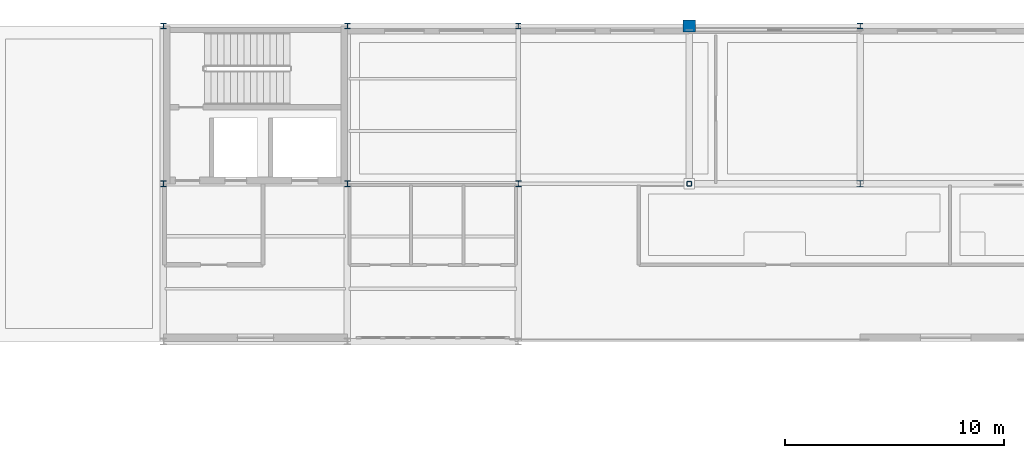
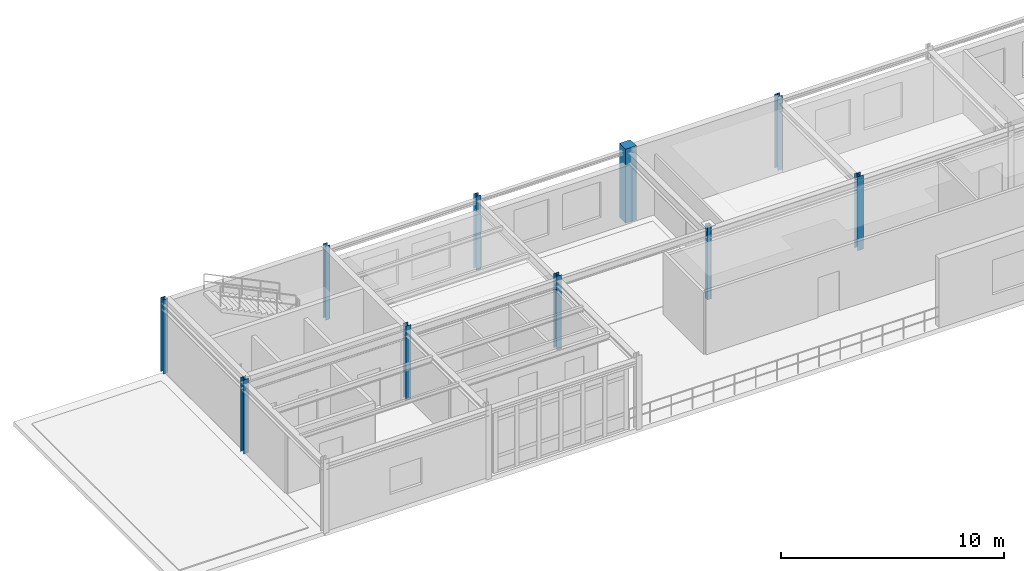
# One storey, part 3 of 20: 10 columns.
"""IFC4 building model written with IfcOpenShell, lengths in metres."""

from ifc_helpers import new_model, si_unit, derived_unit, direction, frame, origin, origin_2d, place, context, subcontext, project, spatial, rectangle, hollow_rectangle, i_section, extrude, material, material_profile, profile_set, type_object, element, save


model = new_model("IFC4")

# Units and contexts
model_context = context("Model", 3, precision=1e-05, world=origin(), true_north=direction((0.0, 1.0)))
body_context = subcontext(model_context, "Body", "Model", "MODEL_VIEW")
ifc_project = project(units=[si_unit("LENGTHUNIT", "METRE"), si_unit("AREAUNIT", "SQUARE_METRE"), si_unit("VOLUMEUNIT", "CUBIC_METRE"), si_unit("PLANEANGLEUNIT", "RADIAN"), si_unit("MASSUNIT", "GRAM", prefix="KILO"), derived_unit("THERMALTRANSMITTANCEUNIT", [(si_unit("POWERUNIT", "WATT"), 1), (si_unit("AREAUNIT", "SQUARE_METRE"), -1), (si_unit("THERMODYNAMICTEMPERATUREUNIT", "KELVIN"), -1)])], contexts=[model_context])

# Site, building, storey
site_placement = place(None, origin())
site = spatial("IfcSite", under=ifc_project, at=site_placement, CompositionType="ELEMENT")
building_placement = place(site_placement, origin())
building = spatial("IfcBuilding", under=site, at=building_placement, Name="Yasenodar Specialist Clinic", CompositionType="ELEMENT")
storey_placement = place(building_placement, frame((0.0, 0.0, 25.35009765625)))
storey = spatial("IfcBuildingStorey", under=building, at=storey_placement, Name="L06", CompositionType="ELEMENT", Elevation=25.35009765625)

# Columns
ifc_material_1 = material(Name="Concrete C35/45", Category="concrete")
ifc_material_profile_1 = material_profile(ifc_material_1, rectangle(XDim=0.550048828125, YDim=0.550048828125, at=origin_2d()), Name="RC 550x550")
ifc_profile_set_1 = profile_set([ifc_material_profile_1], Name="Concrete C35/45")
column_type_1 = type_object("IfcColumnType", Name="COL-RC-550", PredefinedType="COLUMN", material=ifc_profile_set_1)
column_1_placement = place(storey_placement, frame((81.0, 111.60009765625, 0.0), z_axis=(0.0, 0.0, 1.0), x_axis=(1.0, 0.0, 0.0)))
element("IfcColumn", 1, at=column_1_placement, inside=storey, type_object=column_type_1, Name="L06 Column V5-106", PredefinedType="COLUMN", context=body_context, shape_type="SweptSolid", body=[
    extrude(rectangle(XDim=0.550048828125, YDim=0.550048828125, at=origin_2d()), origin(), (0.0, 0.0, 1.0), 4.0498046875),
])
ifc_material_2 = material(Name="Steel S355", Category="steel")
ifc_material_profile_2 = material_profile(ifc_material_2, i_section(OverallWidth=0.260009765625, OverallDepth=0.25, WebThickness=0.007568359375, FlangeThickness=0.012451171875, FilletRadius=0.02392578125, at=origin_2d()), Name="HEA 260")
ifc_profile_set_2 = profile_set([ifc_material_profile_2], Name="Steel S355")
column_type_2 = type_object("IfcColumnType", Name="COL-ST-HEA260", PredefinedType="COLUMN", material=ifc_profile_set_2)
column_2_placement = place(storey_placement, frame((88.800048828125, 111.60009765625, 0.0), z_axis=(0.0, 0.0, 1.0), x_axis=(1.0, 0.0, 0.0)))
element("IfcColumn", 2, at=column_2_placement, inside=storey, type_object=column_type_2, Name="L06 Column V5-110", PredefinedType="COLUMN", context=body_context, shape_type="SweptSolid", body=[
    extrude(i_section(OverallWidth=0.260009765625, OverallDepth=0.25, WebThickness=0.007568359375, FlangeThickness=0.012451171875, FilletRadius=0.02392578125, at=origin_2d()), origin(), (0.0, 0.0, 1.0), 4.0498046875),
])
ifc_material_profile_3 = material_profile(ifc_material_2, i_section(OverallWidth=0.300048828125, OverallDepth=0.2900390625, WebThickness=0.008544921875, FlangeThickness=0.013916015625, FilletRadius=0.027099609375, at=origin_2d()), Name="HEA 300")
ifc_profile_set_3 = profile_set([ifc_material_profile_3], Name="Steel S355")
column_type_3 = type_object("IfcColumnType", Name="COL-ST-HEA300", PredefinedType="COLUMN", material=ifc_profile_set_3)
column_3_placement = place(storey_placement, frame((88.800048828125, 104.39990234375, 0.0), z_axis=(0.0, 0.0, 1.0), x_axis=(1.0, 0.0, 0.0)))
element("IfcColumn", 3, at=column_3_placement, inside=storey, type_object=column_type_3, Name="L06 Column V5-109", PredefinedType="COLUMN", context=body_context, shape_type="SweptSolid", body=[
    extrude(i_section(OverallWidth=0.300048828125, OverallDepth=0.2900390625, WebThickness=0.008544921875, FlangeThickness=0.013916015625, FilletRadius=0.027099609375, at=origin_2d()), origin(), (0.0, 0.0, 1.0), 4.0498046875),
])
ifc_material_profile_4 = material_profile(ifc_material_2, i_section(OverallWidth=0.239990234375, OverallDepth=0.239990234375, WebThickness=0.010009765625, FlangeThickness=0.01708984375, FilletRadius=0.02099609375, at=origin_2d()), Name="HEB 240")
ifc_profile_set_4 = profile_set([ifc_material_profile_4], Name="Steel S355")
column_type_4 = type_object("IfcColumnType", Name="COL-ST-HEB240", PredefinedType="COLUMN", material=ifc_profile_set_4)
for number, where, z_axis, x_axis, name in (
    (4, (57.0, 111.60009765625, 0.0), (0.0, 0.0, 1.0), (1.0, 0.0, 0.0), "L06 Column V5-092"),
    (5, (65.39990234375, 111.60009765625, 0.0), (0.0, 0.0, 1.0), (1.0, 0.0, 0.0), "L06 Column V5-097"),
    (6, (73.199951171875, 111.60009765625, 0.0), (0.0, 0.0, 1.0), (1.0, 0.0, 0.0), "L06 Column V5-102"),
):
    element("IfcColumn", number, at=place(storey_placement, frame(where, z_axis=z_axis, x_axis=x_axis)), inside=storey, type_object=column_type_4, Name=name, PredefinedType="COLUMN", context=body_context, shape_type="SweptSolid", body=[
        extrude(i_section(OverallWidth=0.239990234375, OverallDepth=0.239990234375, WebThickness=0.010009765625, FlangeThickness=0.01708984375, FilletRadius=0.02099609375, at=origin_2d()), origin(), (0.0, 0.0, 1.0), 4.0498046875),
    ])
ifc_material_profile_5 = material_profile(ifc_material_2, i_section(OverallWidth=0.260009765625, OverallDepth=0.260009765625, WebThickness=0.010009765625, FlangeThickness=0.017578125, FilletRadius=0.02392578125, at=origin_2d()), Name="HEB 260")
ifc_profile_set_5 = profile_set([ifc_material_profile_5], Name="Steel S355")
column_type_5 = type_object("IfcColumnType", Name="COL-ST-HEB260", PredefinedType="COLUMN", material=ifc_profile_set_5)
for number, where, z_axis, x_axis, name in (
    (7, (57.0, 104.39990234375, 0.0), (0.0, 0.0, 1.0), (1.0, 0.0, 0.0), "L06 Column V5-091"),
    (8, (65.39990234375, 104.39990234375, 0.0), (0.0, 0.0, 1.0), (1.0, 0.0, 0.0), "L06 Column V5-096"),
    (9, (73.199951171875, 104.39990234375, 0.0), (0.0, 0.0, 1.0), (1.0, 0.0, 0.0), "L06 Column V5-101"),
):
    element("IfcColumn", number, at=place(storey_placement, frame(where, z_axis=z_axis, x_axis=x_axis)), inside=storey, type_object=column_type_5, Name=name, PredefinedType="COLUMN", context=body_context, shape_type="SweptSolid", body=[
        extrude(i_section(OverallWidth=0.260009765625, OverallDepth=0.260009765625, WebThickness=0.010009765625, FlangeThickness=0.017578125, FilletRadius=0.02392578125, at=origin_2d()), origin(), (0.0, 0.0, 1.0), 4.0498046875),
    ])
ifc_material_profile_6 = material_profile(ifc_material_2, hollow_rectangle(XDim=0.219970703125, YDim=0.219970703125, WallThickness=0.012451171875, InnerFilletRadius=0.018798828125, OuterFilletRadius=0.03125, at=origin_2d()), Name="SHS 220x220x12.5")
ifc_profile_set_6 = profile_set([ifc_material_profile_6], Name="Steel S355")
column_type_6 = type_object("IfcColumnType", Name="COL-ST-SHS220", PredefinedType="COLUMN", material=ifc_profile_set_6)
column_4_placement = place(storey_placement, frame((81.0, 104.39990234375, 0.0), z_axis=(0.0, 0.0, 1.0), x_axis=(1.0, 0.0, 0.0)))
element("IfcColumn", 10, at=column_4_placement, inside=storey, type_object=column_type_6, Name="L06 Column V5-105", PredefinedType="COLUMN", context=body_context, shape_type="SweptSolid", body=[
    extrude(hollow_rectangle(XDim=0.219970703125, YDim=0.219970703125, WallThickness=0.012451171875, InnerFilletRadius=0.018798828125, OuterFilletRadius=0.03125, at=origin_2d()), origin(), (0.0, 0.0, 1.0), 4.0498046875),
])

save(model, "model.ifc")
